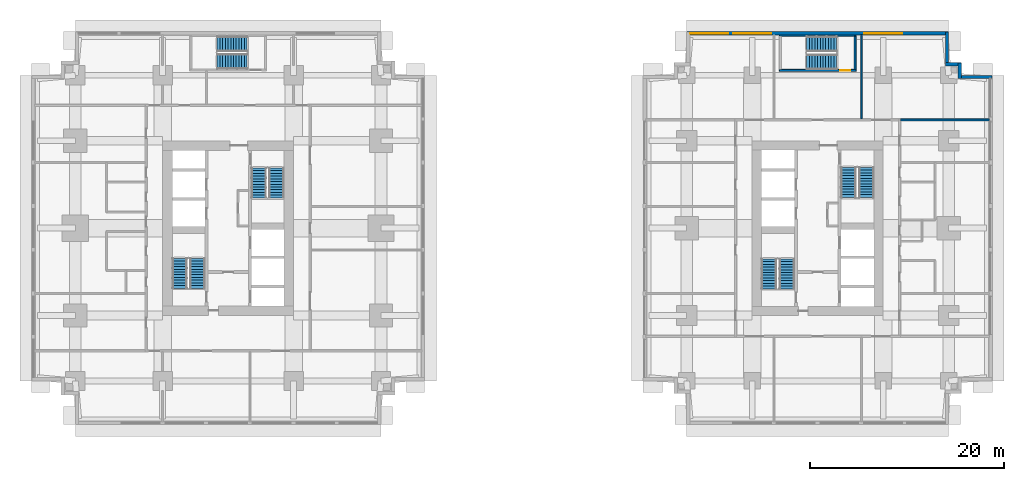
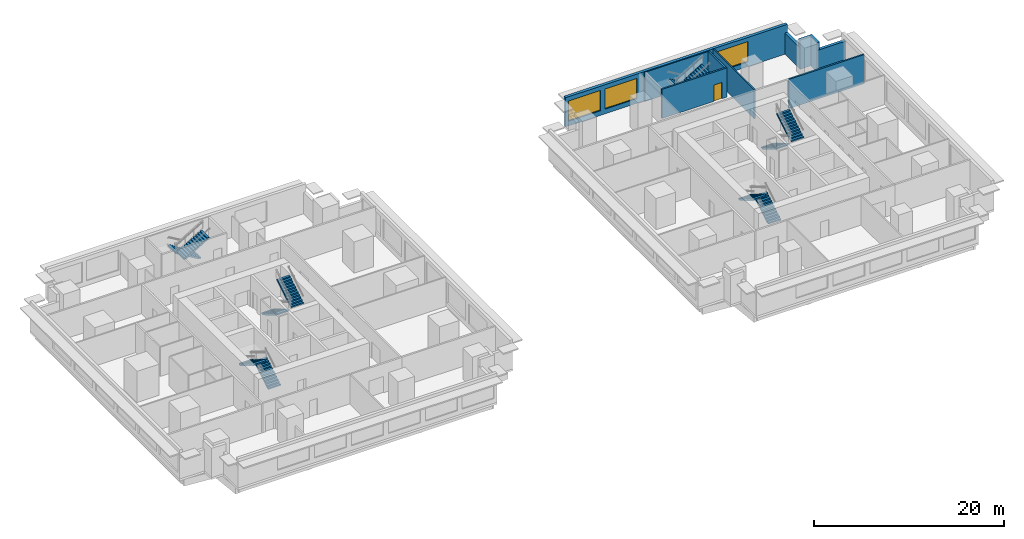
# One storey, part 8 of 11: 12 stair flights, 10 walls, 3 windows, 1 door, 4 openings, 6 elements without a shape of their own.
"""IFC4 building model written with IfcOpenShell, lengths in metres."""

from ifc_helpers import new_model, si_unit, direction, frame, frame_2d, origin, place, context, subcontext, project, spatial, polyline, rectangle, outline, extrude, material, layer, layer_set, type_object, element, fill, aggregate, save


model = new_model("IFC4")

# Units and contexts
model_context = context("Model", 3, precision=1e-05, world=origin(), true_north=direction((0.0, 1.0)))
body_context = subcontext(model_context, "Body", "Model", "MODEL_VIEW")
ifc_project = project(units=[si_unit("LENGTHUNIT", "METRE"), si_unit("AREAUNIT", "SQUARE_METRE"), si_unit("VOLUMEUNIT", "CUBIC_METRE"), si_unit("PLANEANGLEUNIT", "RADIAN"), si_unit("MASSUNIT", "GRAM", prefix="KILO")], contexts=[model_context])

# Site, building, storey
site_placement = place(None, origin())
site = spatial("IfcSite", under=ifc_project, at=site_placement, CompositionType="ELEMENT")
building_placement = place(site_placement, origin())
building = spatial("IfcBuilding", under=site, at=building_placement, Name="Namib Vertical Campus", CompositionType="ELEMENT")
storey_placement = place(building_placement, frame((0.0, 0.0, 73.0)))
storey = spatial("IfcBuildingStorey", under=building, at=storey_placement, Name="L17", CompositionType="ELEMENT", Elevation=73.0)

# Walls
ifc_material_1 = material(Name="Concrete masonry", Category="masonry")
ifc_layer_1 = layer(ifc_material_1, 0.199951171875)
ifc_layer_set_1 = layer_set([ifc_layer_1], Name="Corridor wall 200")
wall_type_1 = type_object("IfcWallType", Name="Corridor wall 200", PredefinedType="SOLIDWALL", material=ifc_layer_set_1)
wall_1_placement = place(storey_placement, frame((89.550048828125, 31.39990234375, 0.0), z_axis=(0.0, 0.0, 1.0), x_axis=(1.0, 0.0, 0.0)))
element("IfcWall", 1, at=wall_1_placement, inside=storey, type_object=wall_type_1, Name="Partition B L17 BNE", PredefinedType="SOLIDWALL", context=body_context, shape_type="SweptSolid", body=[
    extrude(rectangle(XDim=9.14990234375, YDim=0.199951171875, at=frame_2d((4.574951171875, 0.0))), origin(), (0.0, 0.0, 1.0), 3.75),
])
ifc_material_2 = material(Name="Concrete C40/50", Category="concrete")
ifc_layer_2 = layer(ifc_material_2, 0.35009765625)
ifc_layer_set_2 = layer_set([ifc_layer_2], Name="Concrete C40/50")
wall_type_2 = type_object("IfcWallType", Name="External wall 350 bush-hammered concrete", PredefinedType="STANDARD", material=ifc_layer_set_2)
wall_2_placement = place(storey_placement, frame((98.97998046875, 35.824951171875, 0.0), z_axis=(0.0, 0.0, 1.0), x_axis=(-1.0, 0.0, 0.0)))
element("IfcWall", 2, at=wall_2_placement, inside=storey, type_object=wall_type_2, Name="External wall L17 F07", PredefinedType="STANDARD", context=body_context, shape_type="SweptSolid", body=[
    extrude(rectangle(XDim=3.510009765625, YDim=0.35009765625, at=frame_2d((1.7548828125, 0.0))), origin(), (0.0, 0.0, 1.0), 2.75),
])
for number, where, z_axis, x_axis, name in (
    (3, (95.625, 35.669921875, 0.0), (0.0, 0.0, 1.0), (0.0, 1.0, 0.0), "External wall L17 F08"),
    (4, (95.780029296875, 37.125, 0.0), (0.0, 0.0, 1.0), (-1.0, 0.0, 0.0), "External wall L17 F09"),
):
    element("IfcWall", number, at=place(storey_placement, frame(where, z_axis=z_axis, x_axis=x_axis)), inside=storey, type_object=wall_type_2, Name=name, PredefinedType="STANDARD", context=body_context, shape_type="SweptSolid", body=[
        extrude(rectangle(XDim=1.610107421875, YDim=0.35009765625, at=frame_2d((0.80517578125, 0.0))), origin(), (0.0, 0.0, 1.0), 3.75),
    ])
wall_3_placement = place(storey_placement, frame((94.324951171875, 36.969970703125, 0.0), z_axis=(0.0, 0.0, 1.0), x_axis=(0.0, 1.0, 0.0)))
element("IfcWall", 5, at=wall_3_placement, inside=storey, type_object=wall_type_2, Name="External wall L17 F10", PredefinedType="STANDARD", context=body_context, shape_type="SweptSolid", body=[
    extrude(rectangle(XDim=3.510009765625, YDim=0.35009765625, at=frame_2d((1.7548828125, 0.0))), origin(), (0.0, 0.0, 1.0), 2.75),
])

# Wall, openings, windows
wall_4_placement = place(storey_placement, frame((94.47998046875, 40.324951171875, 0.0), z_axis=(0.0, 0.0, 1.0), x_axis=(-1.0, 0.0, 0.0)))
wall_4 = element("IfcWall", 6, at=wall_4_placement, inside=storey, type_object=wall_type_2, Name="External wall L17 F11", PredefinedType="STANDARD", context=body_context, shape_type="SweptSolid", body=[
    extrude(rectangle(XDim=26.9599609375, YDim=0.35009765625, at=frame_2d((13.47998046875, 0.0))), origin(), (0.0, 0.0, 1.0), 3.75),
])
opening_1_placement = place(wall_4_placement, frame((22.7099609375, 0.0, 0.60009765625)))
opening_1 = element("IfcOpeningElement", 7, at=opening_1_placement, cuts=wall_4, Name="Opening W2", PredefinedType="OPENING", context=body_context, shape_type="SweptSolid", body=[
    extrude(rectangle(XDim=3.89990234375, YDim=2.60009765625, at=frame_2d((1.949951171875, 1.300048828125))), frame((0.0, 0.18505859375, 0.0), z_axis=(0.0, -1.0, 0.0), x_axis=(1.0, 0.0, 0.0)), (0.0, 0.0, 1.0), 0.3701171875),
])
opening_2_placement = place(wall_4_placement, frame((18.280029296875, 0.0, 0.60009765625)))
opening_2 = element("IfcOpeningElement", 8, at=opening_2_placement, cuts=wall_4, Name="Opening W2", PredefinedType="OPENING", context=body_context, shape_type="SweptSolid", body=[
    extrude(rectangle(XDim=3.89990234375, YDim=2.60009765625, at=frame_2d((1.949951171875, 1.300048828125))), frame((0.0, 0.18505859375, 0.0), z_axis=(0.0, -1.0, 0.0), x_axis=(1.0, 0.0, 0.0)), (0.0, 0.0, 1.0), 0.3701171875),
])
opening_3_placement = place(wall_4_placement, frame((4.780029296875, 0.0, 0.60009765625)))
opening_3 = element("IfcOpeningElement", 9, at=opening_3_placement, cuts=wall_4, Name="Opening W2", PredefinedType="OPENING", context=body_context, shape_type="SweptSolid", body=[
    extrude(rectangle(XDim=3.89990234375, YDim=2.60009765625, at=frame_2d((1.949951171875, 1.300048828125))), frame((0.0, 0.18505859375, 0.0), z_axis=(0.0, -1.0, 0.0), x_axis=(1.0, 0.0, 0.0)), (0.0, 0.0, 1.0), 0.3701171875),
])
ifc_material_3 = material(Name="Dark tinted glass in black aluminium frame", Category="aluminium")
window_type = type_object("IfcWindowType", Name="Ribbon window 3900x2600", PartitioningType="SINGLE_PANEL", PredefinedType="WINDOW", material=ifc_material_3)
window_1_placement = place(opening_1_placement, origin())
window_1 = element("IfcWindow", 10, at=window_1_placement, inside=storey, type_object=window_type, Name="Window W2 L17 F11-1", OverallHeight=2.60009765625, OverallWidth=3.89990234375, PartitioningType="SINGLE_PANEL", PredefinedType="WINDOW", context=body_context, shape_type="SweptSolid", body=[
    extrude(rectangle(XDim=3.89990234375, YDim=2.60009765625, at=frame_2d((1.949951171875, 1.300048828125))), frame((0.0, 0.030029296875, 0.0), z_axis=(0.0, -1.0, 0.0), x_axis=(1.0, 0.0, 0.0)), (0.0, 0.0, 1.0), 0.06005859375),
])
fill(opening_1, window_1)
window_2_placement = place(opening_2_placement, origin())
window_2 = element("IfcWindow", 11, at=window_2_placement, inside=storey, type_object=window_type, Name="Window W2 L17 F11-2", OverallHeight=2.60009765625, OverallWidth=3.89990234375, PartitioningType="SINGLE_PANEL", PredefinedType="WINDOW", context=body_context, shape_type="SweptSolid", body=[
    extrude(rectangle(XDim=3.89990234375, YDim=2.60009765625, at=frame_2d((1.949951171875, 1.300048828125))), frame((0.0, 0.030029296875, 0.0), z_axis=(0.0, -1.0, 0.0), x_axis=(1.0, 0.0, 0.0)), (0.0, 0.0, 1.0), 0.06005859375),
])
fill(opening_2, window_2)
window_3_placement = place(opening_3_placement, origin())
window_3 = element("IfcWindow", 12, at=window_3_placement, inside=storey, type_object=window_type, Name="Window W2 L17 F11-5", OverallHeight=2.60009765625, OverallWidth=3.89990234375, PartitioningType="SINGLE_PANEL", PredefinedType="WINDOW", context=body_context, shape_type="SweptSolid", body=[
    extrude(rectangle(XDim=3.89990234375, YDim=2.60009765625, at=frame_2d((1.949951171875, 1.300048828125))), frame((0.0, 0.030029296875, 0.0), z_axis=(0.0, -1.0, 0.0), x_axis=(1.0, 0.0, 0.0)), (0.0, 0.0, 1.0), 0.06005859375),
])
fill(opening_3, window_3)

# Walls
ifc_material_4 = material(Name="Gypsum board on steel studs", Category="steel")
ifc_layer_3 = layer(ifc_material_4, 0.14990234375)
ifc_layer_set_3 = layer_set([ifc_layer_3], Name="Gypsum board on steel studs")
wall_type_3 = type_object("IfcWallType", Name="Partition 150", PredefinedType="PARTITIONING", material=ifc_layer_set_3)
wall_5_placement = place(storey_placement, frame((85.5, 31.5, 0.0), z_axis=(0.0, 0.0, 1.0), x_axis=(0.0, 1.0, 0.0)))
element("IfcWall", 13, at=wall_5_placement, inside=storey, type_object=wall_type_3, Name="Partition B L17 PN2", PredefinedType="PARTITIONING", context=body_context, shape_type="SweptSolid", body=[
    extrude(rectangle(XDim=8.699951171875, YDim=0.14990234375, at=frame_2d((4.35009765625, 0.0))), origin(), (0.0, 0.0, 1.0), 3.75),
])
ifc_material_5 = material(Name="Concrete C40/50", Category="concrete")
ifc_layer_4 = layer(ifc_material_5, 0.14990234375)
ifc_layer_set_4 = layer_set([ifc_layer_4], Name="Concrete C40/50")
wall_type_4 = type_object("IfcWallType", Name="Stair enclosure wall RC 150", PredefinedType="SOLIDWALL", material=ifc_layer_set_4)
wall_6_placement = place(storey_placement, frame((77.050048828125, 40.074951171875, 0.0), z_axis=(0.0, 0.0, 1.0), x_axis=(1.0, 0.0, 0.0)))
element("IfcWall", 14, at=wall_6_placement, inside=storey, type_object=wall_type_4, Name="Stair enclosure wall B-S3 L17 N", PredefinedType="SOLIDWALL", context=body_context, shape_type="SweptSolid", body=[
    extrude(rectangle(XDim=7.89990234375, YDim=0.14990234375, at=frame_2d((3.949951171875, 0.0))), origin(), (0.0, 0.0, 1.0), 3.75),
])

# Wall, opening, door
ifc_material_6 = material(Name="Concrete C40/50", Category="concrete")
ifc_layer_5 = layer(ifc_material_6, 0.199951171875)
ifc_layer_set_5 = layer_set([ifc_layer_5], Name="Concrete C40/50")
wall_type_5 = type_object("IfcWallType", Name="Stair enclosure wall RC 200", PredefinedType="SOLIDWALL", material=ifc_layer_set_5)
wall_7_placement = place(storey_placement, frame((77.050048828125, 36.5, 0.0), z_axis=(0.0, 0.0, 1.0), x_axis=(1.0, 0.0, 0.0)))
wall_7 = element("IfcWall", 15, at=wall_7_placement, inside=storey, type_object=wall_type_5, Name="Stair enclosure wall B-S3 L17 S", PredefinedType="SOLIDWALL", context=body_context, shape_type="SweptSolid", body=[
    extrude(rectangle(XDim=7.89990234375, YDim=0.199951171875, at=frame_2d((3.949951171875, 0.0))), origin(), (0.0, 0.0, 1.0), 3.75),
])
opening_4_placement = place(wall_7_placement, frame((6.300048828125, 0.0, 0.0)))
opening_4 = element("IfcOpeningElement", 16, at=opening_4_placement, cuts=wall_7, Name="Opening FD1", PredefinedType="OPENING", context=body_context, shape_type="SweptSolid", body=[
    extrude(rectangle(XDim=1.0, YDim=2.10009765625, at=frame_2d((0.5, 1.050048828125))), frame((0.0, 0.10986328125, 0.0), z_axis=(0.0, -1.0, 0.0), x_axis=(1.0, 0.0, 0.0)), (0.0, 0.0, 1.0), 0.219970703125),
])
ifc_material_7 = material(Name="Steel fire door", Category="steel")
door_type = type_object("IfcDoorType", Name="Fire door 1000x2100", OperationType="SINGLE_SWING_RIGHT", PredefinedType="DOOR", material=ifc_material_7)
door_placement = place(opening_4_placement, origin())
door = element("IfcDoor", 17, at=door_placement, inside=storey, type_object=door_type, Name="Stair door FD1 B L17 S3", OperationType="SINGLE_SWING_RIGHT", OverallHeight=2.10009765625, OverallWidth=1.0, PredefinedType="DOOR", context=body_context, shape_type="SweptSolid", body=[
    extrude(rectangle(XDim=1.0, YDim=2.10009765625, at=frame_2d((0.5, 1.050048828125))), frame((0.0, 0.02490234375, 0.0), z_axis=(0.0, -1.0, 0.0), x_axis=(1.0, 0.0, 0.0)), (0.0, 0.0, 1.0), 0.050048828125),
])
fill(opening_4, door)

# Wall
wall_8_placement = place(storey_placement, frame((84.85009765625, 36.60009765625, 0.0), z_axis=(0.0, 0.0, 1.0), x_axis=(0.0, 1.0, 0.0)))
element("IfcWall", 18, at=wall_8_placement, inside=storey, type_object=wall_type_5, Name="Stair enclosure wall B-S3 L17 E", PredefinedType="SOLIDWALL", context=body_context, shape_type="SweptSolid", body=[
    extrude(rectangle(XDim=3.39990234375, YDim=0.199951171875, at=frame_2d((1.699951171875, 0.0))), origin(), (0.0, 0.0, 1.0), 3.75),
])

# Stair, stair flights
ifc_material_8 = material(Name="Concrete C40/50 precast", Category="concrete")
stair_type_1 = type_object("IfcStairType", Name="Exit stair 4000 rise 24 risers 3350 wide", PredefinedType="HALF_TURN_STAIR", material=ifc_material_8)
stair_1_placement = place(storey_placement, origin())
stair_1 = element("IfcStair", 19, at=stair_1_placement, inside=storey, type_object=stair_type_1, Name="Exit stair A-S1 L17", PredefinedType="HALF_TURN_STAIR")
ifc_material_9 = material(Name="Concrete C40/50 precast", Category="concrete")
stair_flight_type_1 = type_object("IfcStairFlightType", Name="Stair flight 12 risers 167 1525 wide", PredefinedType="STRAIGHT", material=ifc_material_9)
stair_flight_1_placement = place(storey_placement, frame((17.08740234375, 14.050048828125, 0.0), z_axis=(0.0, 0.0, 1.0), x_axis=(0.0, 1.0, 0.0)))
stair_flight_1 = element("IfcStairFlight", 20, at=stair_flight_1_placement, type_object=stair_flight_type_1, Name="A-S1 flight 1", NumberOfRisers=12, NumberOfTreads=11, PredefinedType="STRAIGHT", RiserHeight=0.166666667, TreadLength=0.28, context=body_context, shape_type="SweptSolid", body=[
    extrude(outline(polyline([(0.0, 0.0), (0.0, 0.166748046875), (0.280029296875, 0.166748046875), (0.280029296875, 0.333251953125), (0.56005859375, 0.333251953125), (0.56005859375, 0.5), (0.840087890625, 0.5), (0.840087890625, 0.666748046875), (1.1201171875, 0.666748046875), (1.1201171875, 0.833251953125), (1.39990234375, 0.833251953125), (1.39990234375, 1.0), (1.679931640625, 1.0), (1.679931640625, 1.166748046875), (1.9599609375, 1.166748046875), (1.9599609375, 1.333251953125), (2.239990234375, 1.333251953125), (2.239990234375, 1.5), (2.52001953125, 1.5), (2.52001953125, 1.666748046875), (2.800048828125, 1.666748046875), (2.800048828125, 1.833251953125), (3.080078125, 1.833251953125), (3.080078125, 2.0), (3.080078125, 1.658935546875), (0.29296875, 0.0), (0.0, 0.0)])), frame((0.0, 0.762451171875, 0.0), z_axis=(0.0, -1.0, 0.0), x_axis=(1.0, 0.0, 0.0)), (0.0, 0.0, 1.0), 1.52490234375),
])
stair_flight_2_placement = place(storey_placement, frame((15.262451171875, 17.1298828125, 2.0), z_axis=(0.0, 0.0, 1.0), x_axis=(0.0, -1.0, 0.0)))
stair_flight_2 = element("IfcStairFlight", 21, at=stair_flight_2_placement, type_object=stair_flight_type_1, Name="A-S1 flight 2", NumberOfRisers=12, NumberOfTreads=11, PredefinedType="STRAIGHT", RiserHeight=0.166666667, TreadLength=0.28, context=body_context, shape_type="SweptSolid", body=[
    extrude(outline(polyline([(0.0, 0.0), (0.0, 0.166748046875), (0.280029296875, 0.166748046875), (0.280029296875, 0.333251953125), (0.56005859375, 0.333251953125), (0.56005859375, 0.5), (0.840087890625, 0.5), (0.840087890625, 0.666748046875), (1.1201171875, 0.666748046875), (1.1201171875, 0.833251953125), (1.39990234375, 0.833251953125), (1.39990234375, 1.0), (1.679931640625, 1.0), (1.679931640625, 1.166748046875), (1.9599609375, 1.166748046875), (1.9599609375, 1.333251953125), (2.239990234375, 1.333251953125), (2.239990234375, 1.5), (2.52001953125, 1.5), (2.52001953125, 1.666748046875), (2.800048828125, 1.666748046875), (2.800048828125, 1.833251953125), (3.080078125, 1.833251953125), (3.080078125, 2.0), (3.080078125, 1.658935546875), (0.29296875, 0.0), (0.0, 0.0)])), frame((0.0, 0.762451171875, 0.0), z_axis=(0.0, -1.0, 0.0), x_axis=(1.0, 0.0, 0.0)), (0.0, 0.0, 1.0), 1.52490234375),
])
aggregate(stair_1, [stair_flight_1, stair_flight_2])

stair_2_placement = place(storey_placement, origin())
stair_2 = element("IfcStair", 22, at=stair_2_placement, inside=storey, type_object=stair_type_1, Name="Exit stair A-S2 L17", PredefinedType="HALF_TURN_STAIR")
stair_flight_3_placement = place(storey_placement, frame((23.41259765625, 26.449951171875, 0.0), z_axis=(0.0, 0.0, 1.0), x_axis=(0.0, -1.0, 0.0)))
stair_flight_3 = element("IfcStairFlight", 23, at=stair_flight_3_placement, type_object=stair_flight_type_1, Name="A-S2 flight 1", NumberOfRisers=12, NumberOfTreads=11, PredefinedType="STRAIGHT", RiserHeight=0.166666667, TreadLength=0.28, context=body_context, shape_type="SweptSolid", body=[
    extrude(outline(polyline([(0.0, 0.0), (0.0, 0.166748046875), (0.280029296875, 0.166748046875), (0.280029296875, 0.333251953125), (0.56005859375, 0.333251953125), (0.56005859375, 0.5), (0.840087890625, 0.5), (0.840087890625, 0.666748046875), (1.1201171875, 0.666748046875), (1.1201171875, 0.833251953125), (1.39990234375, 0.833251953125), (1.39990234375, 1.0), (1.679931640625, 1.0), (1.679931640625, 1.166748046875), (1.9599609375, 1.166748046875), (1.9599609375, 1.333251953125), (2.239990234375, 1.333251953125), (2.239990234375, 1.5), (2.52001953125, 1.5), (2.52001953125, 1.666748046875), (2.800048828125, 1.666748046875), (2.800048828125, 1.833251953125), (3.080078125, 1.833251953125), (3.080078125, 2.0), (3.080078125, 1.658935546875), (0.29296875, 0.0), (0.0, 0.0)])), frame((0.0, 0.762451171875, 0.0), z_axis=(0.0, -1.0, 0.0), x_axis=(1.0, 0.0, 0.0)), (0.0, 0.0, 1.0), 1.52490234375),
])
stair_flight_4_placement = place(storey_placement, frame((25.237548828125, 23.3701171875, 2.0), z_axis=(0.0, 0.0, 1.0), x_axis=(0.0, 1.0, 0.0)))
stair_flight_4 = element("IfcStairFlight", 24, at=stair_flight_4_placement, type_object=stair_flight_type_1, Name="A-S2 flight 2", NumberOfRisers=12, NumberOfTreads=11, PredefinedType="STRAIGHT", RiserHeight=0.166666667, TreadLength=0.28, context=body_context, shape_type="SweptSolid", body=[
    extrude(outline(polyline([(0.0, 0.0), (0.0, 0.166748046875), (0.280029296875, 0.166748046875), (0.280029296875, 0.333251953125), (0.56005859375, 0.333251953125), (0.56005859375, 0.5), (0.840087890625, 0.5), (0.840087890625, 0.666748046875), (1.1201171875, 0.666748046875), (1.1201171875, 0.833251953125), (1.39990234375, 0.833251953125), (1.39990234375, 1.0), (1.679931640625, 1.0), (1.679931640625, 1.166748046875), (1.9599609375, 1.166748046875), (1.9599609375, 1.333251953125), (2.239990234375, 1.333251953125), (2.239990234375, 1.5), (2.52001953125, 1.5), (2.52001953125, 1.666748046875), (2.800048828125, 1.666748046875), (2.800048828125, 1.833251953125), (3.080078125, 1.833251953125), (3.080078125, 2.0), (3.080078125, 1.658935546875), (0.29296875, 0.0), (0.0, 0.0)])), frame((0.0, 0.762451171875, 0.0), z_axis=(0.0, -1.0, 0.0), x_axis=(1.0, 0.0, 0.0)), (0.0, 0.0, 1.0), 1.52490234375),
])
aggregate(stair_2, [stair_flight_3, stair_flight_4])

stair_3_placement = place(storey_placement, origin())
stair_3 = element("IfcStair", 25, at=stair_3_placement, inside=storey, type_object=stair_type_1, Name="Exit stair A-S3 L17", PredefinedType="HALF_TURN_STAIR")
stair_flight_5_placement = place(storey_placement, frame((22.199951171875, 39.237548828125, 0.0), z_axis=(0.0, 0.0, 1.0), x_axis=(-1.0, 0.0, 0.0)))
stair_flight_5 = element("IfcStairFlight", 26, at=stair_flight_5_placement, type_object=stair_flight_type_1, Name="A-S3 flight 1", NumberOfRisers=12, NumberOfTreads=11, PredefinedType="STRAIGHT", RiserHeight=0.166666667, TreadLength=0.28, context=body_context, shape_type="SweptSolid", body=[
    extrude(outline(polyline([(0.0, 0.0), (0.0, 0.166748046875), (0.280029296875, 0.166748046875), (0.280029296875, 0.333251953125), (0.56005859375, 0.333251953125), (0.56005859375, 0.5), (0.840087890625, 0.5), (0.840087890625, 0.666748046875), (1.1201171875, 0.666748046875), (1.1201171875, 0.833251953125), (1.39990234375, 0.833251953125), (1.39990234375, 1.0), (1.679931640625, 1.0), (1.679931640625, 1.166748046875), (1.9599609375, 1.166748046875), (1.9599609375, 1.333251953125), (2.239990234375, 1.333251953125), (2.239990234375, 1.5), (2.52001953125, 1.5), (2.52001953125, 1.666748046875), (2.800048828125, 1.666748046875), (2.800048828125, 1.833251953125), (3.080078125, 1.833251953125), (3.080078125, 2.0), (3.080078125, 1.658935546875), (0.29296875, 0.0), (0.0, 0.0)])), frame((0.0, 0.762451171875, 0.0), z_axis=(0.0, -1.0, 0.0), x_axis=(1.0, 0.0, 0.0)), (0.0, 0.0, 1.0), 1.52490234375),
])
stair_flight_6_placement = place(storey_placement, frame((19.1201171875, 37.41259765625, 2.0), z_axis=(0.0, 0.0, 1.0), x_axis=(1.0, 0.0, 0.0)))
stair_flight_6 = element("IfcStairFlight", 27, at=stair_flight_6_placement, type_object=stair_flight_type_1, Name="A-S3 flight 2", NumberOfRisers=12, NumberOfTreads=11, PredefinedType="STRAIGHT", RiserHeight=0.166666667, TreadLength=0.28, context=body_context, shape_type="SweptSolid", body=[
    extrude(outline(polyline([(0.0, 0.0), (0.0, 0.166748046875), (0.280029296875, 0.166748046875), (0.280029296875, 0.333251953125), (0.56005859375, 0.333251953125), (0.56005859375, 0.5), (0.840087890625, 0.5), (0.840087890625, 0.666748046875), (1.1201171875, 0.666748046875), (1.1201171875, 0.833251953125), (1.39990234375, 0.833251953125), (1.39990234375, 1.0), (1.679931640625, 1.0), (1.679931640625, 1.166748046875), (1.9599609375, 1.166748046875), (1.9599609375, 1.333251953125), (2.239990234375, 1.333251953125), (2.239990234375, 1.5), (2.52001953125, 1.5), (2.52001953125, 1.666748046875), (2.800048828125, 1.666748046875), (2.800048828125, 1.833251953125), (3.080078125, 1.833251953125), (3.080078125, 2.0), (3.080078125, 1.658935546875), (0.29296875, 0.0), (0.0, 0.0)])), frame((0.0, 0.762451171875, 0.0), z_axis=(0.0, -1.0, 0.0), x_axis=(1.0, 0.0, 0.0)), (0.0, 0.0, 1.0), 1.52490234375),
])
aggregate(stair_3, [stair_flight_5, stair_flight_6])

ifc_material_10 = material(Name="Concrete C40/50 precast", Category="concrete")
stair_type_2 = type_object("IfcStairType", Name="Exit stair 4000 rise 24 risers 3400 wide", PredefinedType="HALF_TURN_STAIR", material=ifc_material_10)
stair_4_placement = place(storey_placement, origin())
stair_4 = element("IfcStair", 28, at=stair_4_placement, inside=storey, type_object=stair_type_2, Name="Exit stair B-S1 L17", PredefinedType="HALF_TURN_STAIR")
ifc_material_11 = material(Name="Concrete C40/50 precast", Category="concrete")
stair_flight_type_2 = type_object("IfcStairFlightType", Name="Stair flight 12 risers 167 1550 wide", PredefinedType="STRAIGHT", material=ifc_material_11)
stair_flight_7_placement = place(storey_placement, frame((77.824951171875, 14.0, 0.0), z_axis=(0.0, 0.0, 1.0), x_axis=(0.0, 1.0, 0.0)))
stair_flight_7 = element("IfcStairFlight", 29, at=stair_flight_7_placement, type_object=stair_flight_type_2, Name="B-S1 flight 1", NumberOfRisers=12, NumberOfTreads=11, PredefinedType="STRAIGHT", RiserHeight=0.166666667, TreadLength=0.28, context=body_context, shape_type="SweptSolid", body=[
    extrude(outline(polyline([(0.0, 0.0), (0.0, 0.166748046875), (0.280029296875, 0.166748046875), (0.280029296875, 0.333251953125), (0.56005859375, 0.333251953125), (0.56005859375, 0.5), (0.840087890625, 0.5), (0.840087890625, 0.666748046875), (1.1201171875, 0.666748046875), (1.1201171875, 0.833251953125), (1.39990234375, 0.833251953125), (1.39990234375, 1.0), (1.679931640625, 1.0), (1.679931640625, 1.166748046875), (1.9599609375, 1.166748046875), (1.9599609375, 1.333251953125), (2.239990234375, 1.333251953125), (2.239990234375, 1.5), (2.52001953125, 1.5), (2.52001953125, 1.666748046875), (2.800048828125, 1.666748046875), (2.800048828125, 1.833251953125), (3.080078125, 1.833251953125), (3.080078125, 2.0), (3.080078125, 1.658935546875), (0.29296875, 0.0), (0.0, 0.0)])), frame((0.0, 0.77490234375, 0.0), z_axis=(0.0, -1.0, 0.0), x_axis=(1.0, 0.0, 0.0)), (0.0, 0.0, 1.0), 1.550048828125),
])
stair_flight_8_placement = place(storey_placement, frame((75.97509765625, 17.080078125, 2.0), z_axis=(0.0, 0.0, 1.0), x_axis=(0.0, -1.0, 0.0)))
stair_flight_8 = element("IfcStairFlight", 30, at=stair_flight_8_placement, type_object=stair_flight_type_2, Name="B-S1 flight 2", NumberOfRisers=12, NumberOfTreads=11, PredefinedType="STRAIGHT", RiserHeight=0.166666667, TreadLength=0.28, context=body_context, shape_type="SweptSolid", body=[
    extrude(outline(polyline([(0.0, 0.0), (0.0, 0.166748046875), (0.280029296875, 0.166748046875), (0.280029296875, 0.333251953125), (0.56005859375, 0.333251953125), (0.56005859375, 0.5), (0.840087890625, 0.5), (0.840087890625, 0.666748046875), (1.1201171875, 0.666748046875), (1.1201171875, 0.833251953125), (1.39990234375, 0.833251953125), (1.39990234375, 1.0), (1.679931640625, 1.0), (1.679931640625, 1.166748046875), (1.9599609375, 1.166748046875), (1.9599609375, 1.333251953125), (2.239990234375, 1.333251953125), (2.239990234375, 1.5), (2.52001953125, 1.5), (2.52001953125, 1.666748046875), (2.800048828125, 1.666748046875), (2.800048828125, 1.833251953125), (3.080078125, 1.833251953125), (3.080078125, 2.0), (3.080078125, 1.658935546875), (0.29296875, 0.0), (0.0, 0.0)])), frame((0.0, 0.77490234375, 0.0), z_axis=(0.0, -1.0, 0.0), x_axis=(1.0, 0.0, 0.0)), (0.0, 0.0, 1.0), 1.550048828125),
])
aggregate(stair_4, [stair_flight_7, stair_flight_8])

stair_5_placement = place(storey_placement, origin())
stair_5 = element("IfcStair", 31, at=stair_5_placement, inside=storey, type_object=stair_type_2, Name="Exit stair B-S2 L17", PredefinedType="HALF_TURN_STAIR")
stair_flight_9_placement = place(storey_placement, frame((84.175048828125, 26.5, 0.0), z_axis=(0.0, 0.0, 1.0), x_axis=(0.0, -1.0, 0.0)))
stair_flight_9 = element("IfcStairFlight", 32, at=stair_flight_9_placement, type_object=stair_flight_type_2, Name="B-S2 flight 1", NumberOfRisers=12, NumberOfTreads=11, PredefinedType="STRAIGHT", RiserHeight=0.166666667, TreadLength=0.28, context=body_context, shape_type="SweptSolid", body=[
    extrude(outline(polyline([(0.0, 0.0), (0.0, 0.166748046875), (0.280029296875, 0.166748046875), (0.280029296875, 0.333251953125), (0.56005859375, 0.333251953125), (0.56005859375, 0.5), (0.840087890625, 0.5), (0.840087890625, 0.666748046875), (1.1201171875, 0.666748046875), (1.1201171875, 0.833251953125), (1.39990234375, 0.833251953125), (1.39990234375, 1.0), (1.679931640625, 1.0), (1.679931640625, 1.166748046875), (1.9599609375, 1.166748046875), (1.9599609375, 1.333251953125), (2.239990234375, 1.333251953125), (2.239990234375, 1.5), (2.52001953125, 1.5), (2.52001953125, 1.666748046875), (2.800048828125, 1.666748046875), (2.800048828125, 1.833251953125), (3.080078125, 1.833251953125), (3.080078125, 2.0), (3.080078125, 1.658935546875), (0.29296875, 0.0), (0.0, 0.0)])), frame((0.0, 0.77490234375, 0.0), z_axis=(0.0, -1.0, 0.0), x_axis=(1.0, 0.0, 0.0)), (0.0, 0.0, 1.0), 1.550048828125),
])
stair_flight_10_placement = place(storey_placement, frame((86.02490234375, 23.419921875, 2.0), z_axis=(0.0, 0.0, 1.0), x_axis=(0.0, 1.0, 0.0)))
stair_flight_10 = element("IfcStairFlight", 33, at=stair_flight_10_placement, type_object=stair_flight_type_2, Name="B-S2 flight 2", NumberOfRisers=12, NumberOfTreads=11, PredefinedType="STRAIGHT", RiserHeight=0.166666667, TreadLength=0.28, context=body_context, shape_type="SweptSolid", body=[
    extrude(outline(polyline([(0.0, 0.0), (0.0, 0.166748046875), (0.280029296875, 0.166748046875), (0.280029296875, 0.333251953125), (0.56005859375, 0.333251953125), (0.56005859375, 0.5), (0.840087890625, 0.5), (0.840087890625, 0.666748046875), (1.1201171875, 0.666748046875), (1.1201171875, 0.833251953125), (1.39990234375, 0.833251953125), (1.39990234375, 1.0), (1.679931640625, 1.0), (1.679931640625, 1.166748046875), (1.9599609375, 1.166748046875), (1.9599609375, 1.333251953125), (2.239990234375, 1.333251953125), (2.239990234375, 1.5), (2.52001953125, 1.5), (2.52001953125, 1.666748046875), (2.800048828125, 1.666748046875), (2.800048828125, 1.833251953125), (3.080078125, 1.833251953125), (3.080078125, 2.0), (3.080078125, 1.658935546875), (0.29296875, 0.0), (0.0, 0.0)])), frame((0.0, 0.77490234375, 0.0), z_axis=(0.0, -1.0, 0.0), x_axis=(1.0, 0.0, 0.0)), (0.0, 0.0, 1.0), 1.550048828125),
])
aggregate(stair_5, [stair_flight_9, stair_flight_10])

stair_6_placement = place(storey_placement, origin())
stair_6 = element("IfcStair", 34, at=stair_6_placement, inside=storey, type_object=stair_type_2, Name="Exit stair B-S3 L17", PredefinedType="HALF_TURN_STAIR")
stair_flight_11_placement = place(storey_placement, frame((82.949951171875, 39.22509765625, 0.0), z_axis=(0.0, 0.0, 1.0), x_axis=(-1.0, 0.0, 0.0)))
stair_flight_11 = element("IfcStairFlight", 35, at=stair_flight_11_placement, type_object=stair_flight_type_2, Name="B-S3 flight 1", NumberOfRisers=12, NumberOfTreads=11, PredefinedType="STRAIGHT", RiserHeight=0.166666667, TreadLength=0.28, context=body_context, shape_type="SweptSolid", body=[
    extrude(outline(polyline([(0.0, 0.0), (0.0, 0.166748046875), (0.280029296875, 0.166748046875), (0.280029296875, 0.333251953125), (0.56005859375, 0.333251953125), (0.56005859375, 0.5), (0.840087890625, 0.5), (0.840087890625, 0.666748046875), (1.1201171875, 0.666748046875), (1.1201171875, 0.833251953125), (1.39990234375, 0.833251953125), (1.39990234375, 1.0), (1.679931640625, 1.0), (1.679931640625, 1.166748046875), (1.9599609375, 1.166748046875), (1.9599609375, 1.333251953125), (2.239990234375, 1.333251953125), (2.239990234375, 1.5), (2.52001953125, 1.5), (2.52001953125, 1.666748046875), (2.800048828125, 1.666748046875), (2.800048828125, 1.833251953125), (3.080078125, 1.833251953125), (3.080078125, 2.0), (3.080078125, 1.658935546875), (0.29296875, 0.0), (0.0, 0.0)])), frame((0.0, 0.77490234375, 0.0), z_axis=(0.0, -1.0, 0.0), x_axis=(1.0, 0.0, 0.0)), (0.0, 0.0, 1.0), 1.550048828125),
])
stair_flight_12_placement = place(storey_placement, frame((79.8701171875, 37.375, 2.0), z_axis=(0.0, 0.0, 1.0), x_axis=(1.0, 0.0, 0.0)))
stair_flight_12 = element("IfcStairFlight", 36, at=stair_flight_12_placement, type_object=stair_flight_type_2, Name="B-S3 flight 2", NumberOfRisers=12, NumberOfTreads=11, PredefinedType="STRAIGHT", RiserHeight=0.166666667, TreadLength=0.28, context=body_context, shape_type="SweptSolid", body=[
    extrude(outline(polyline([(0.0, 0.0), (0.0, 0.166748046875), (0.280029296875, 0.166748046875), (0.280029296875, 0.333251953125), (0.56005859375, 0.333251953125), (0.56005859375, 0.5), (0.840087890625, 0.5), (0.840087890625, 0.666748046875), (1.1201171875, 0.666748046875), (1.1201171875, 0.833251953125), (1.39990234375, 0.833251953125), (1.39990234375, 1.0), (1.679931640625, 1.0), (1.679931640625, 1.166748046875), (1.9599609375, 1.166748046875), (1.9599609375, 1.333251953125), (2.239990234375, 1.333251953125), (2.239990234375, 1.5), (2.52001953125, 1.5), (2.52001953125, 1.666748046875), (2.800048828125, 1.666748046875), (2.800048828125, 1.833251953125), (3.080078125, 1.833251953125), (3.080078125, 2.0), (3.080078125, 1.658935546875), (0.29296875, 0.0), (0.0, 0.0)])), frame((0.0, 0.77490234375, 0.0), z_axis=(0.0, -1.0, 0.0), x_axis=(1.0, 0.0, 0.0)), (0.0, 0.0, 1.0), 1.550048828125),
])
aggregate(stair_6, [stair_flight_11, stair_flight_12])

save(model, "model.ifc")
